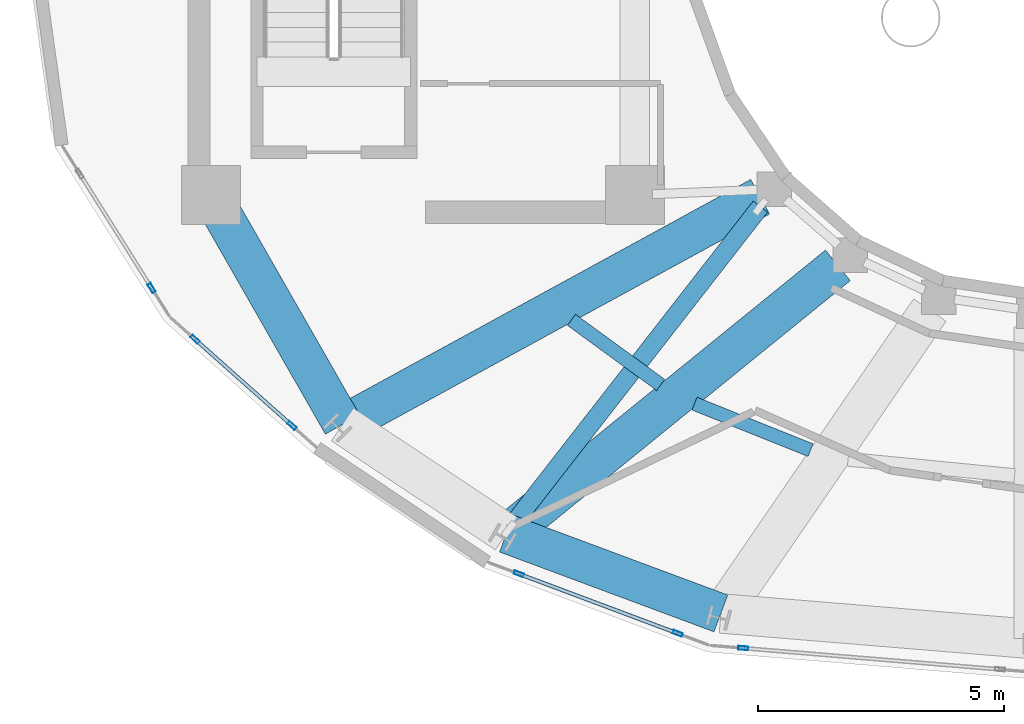
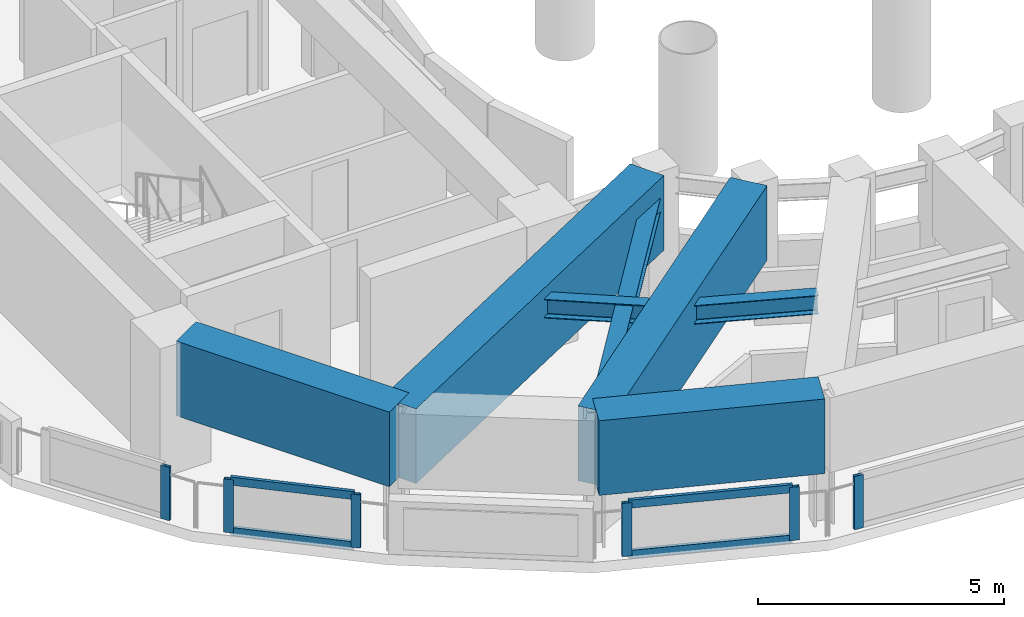
# One storey, part 2 of 17: 11 members, 6 beams, 4 elements without a shape of their own.
"""IFC4 building model written with IfcOpenShell, lengths in metres."""

from ifc_helpers import new_model, si_unit, direction, frame, origin, origin_2d, place, context, subcontext, project, spatial, rectangle, hollow_rectangle, i_section, extrude, material, layer, layer_set, material_profile, profile_set, type_object, element, aggregate, save


model = new_model("IFC4")

# Units and contexts
model_context = context("Model", 3, precision=1e-05, world=origin(), true_north=direction((0.0, 1.0)))
body_context = subcontext(model_context, "Body", "Model", "MODEL_VIEW")
ifc_project = project(units=[si_unit("LENGTHUNIT", "METRE"), si_unit("AREAUNIT", "SQUARE_METRE"), si_unit("VOLUMEUNIT", "CUBIC_METRE"), si_unit("PLANEANGLEUNIT", "RADIAN"), si_unit("MASSUNIT", "GRAM", prefix="KILO")], contexts=[model_context])

# Site, building, storey
site_placement = place(None, origin())
site = spatial("IfcSite", under=ifc_project, at=site_placement, CompositionType="ELEMENT")
building_placement = place(site_placement, origin())
building = spatial("IfcBuilding", under=site, at=building_placement, Name="Solvane Sanctuary Tower", CompositionType="ELEMENT")
storey_placement = place(building_placement, frame((0.0, 0.0, 270.0)))
storey = spatial("IfcBuildingStorey", under=building, at=storey_placement, Name="L82", CompositionType="ELEMENT", Elevation=270.0)

# Beams
ifc_material_1 = material(Name="Steel ASTM A992 Grade 50", Category="steel")
ifc_material_profile_1 = material_profile(ifc_material_1, i_section(OverallWidth=0.280029296875, OverallDepth=0.462890625, WebThickness=0.0107421875, FlangeThickness=0.017333984375, FilletRadius=0.013916015625, at=origin_2d()), Name="W18X76")
ifc_profile_set_1 = profile_set([ifc_material_profile_1], Name="Steel ASTM A992 Grade 50")
beam_type_1 = type_object("IfcBeamType", Name="Beam B-SEC-JOIST W18X76", PredefinedType="JOIST", material=ifc_profile_set_1)
beam_1_placement = place(storey_placement, frame((22.614501953125, 14.36474609375, 2.70654296875), z_axis=(0.807740449032, -0.589538265931, 0.0), x_axis=(0.589538265931, 0.807740449032, 0.0)))
element("IfcBeam", 1, at=beam_1_placement, inside=storey, type_object=beam_type_1, Name="L82 Secondary Circumferential Joist 08-09", PredefinedType="JOIST", context=body_context, shape_type="SweptSolid", body=[
    extrude(i_section(OverallWidth=0.280029296875, OverallDepth=0.462890625, WebThickness=0.0107421875, FlangeThickness=0.017333984375, FilletRadius=0.013916015625, at=origin_2d()), origin(), (0.0, 0.0, 1.0), 2.239990234375),
])
beam_2_placement = place(storey_placement, frame((25.109619140625, 12.664306640625, 2.70654296875), z_axis=(0.928403778537, -0.371572905361, 0.0), x_axis=(0.371572905361, 0.928403778537, 0.0)))
element("IfcBeam", 2, at=beam_2_placement, inside=storey, type_object=beam_type_1, Name="L82 Secondary Circumferential Joist 09-10", PredefinedType="JOIST", context=body_context, shape_type="SweptSolid", body=[
    extrude(i_section(OverallWidth=0.280029296875, OverallDepth=0.462890625, WebThickness=0.0107421875, FlangeThickness=0.017333984375, FilletRadius=0.013916015625, at=origin_2d()), origin(), (0.0, 0.0, 1.0), 2.540771484375),
])
ifc_material_2 = material(Name="Concrete C70/85", Category="concrete")
ifc_material_profile_2 = material_profile(ifc_material_2, rectangle(XDim=0.800048828125, YDim=1.85009765625, at=origin_2d()), Name="RC800X1850")
ifc_profile_set_2 = profile_set([ifc_material_profile_2], Name="Concrete C70/85")
beam_type_2 = type_object("IfcBeamType", Name="Beam B-XFER-BLK RC800X1850", PredefinedType="BEAM", material=ifc_profile_set_2)
beam_3_placement = place(storey_placement, frame((26.444091796875, 16.864501953125, 2.27490234375), z_axis=(-0.877537561856, -0.479507901428, 0.0), x_axis=(0.479507901428, -0.877537561856, 0.0)))
element("IfcBeam", 3, at=beam_3_placement, inside=storey, type_object=beam_type_2, Name="L82 Block-Shift Radial Transfer Girder 08A", PredefinedType="BEAM", context=body_context, shape_type="SweptSolid", body=[
    extrude(rectangle(XDim=0.800048828125, YDim=1.85009765625, at=origin_2d()), origin(), (0.0, 0.0, 1.0), 9.67529296875),
])
beam_4_placement = place(storey_placement, frame((28.021484375, 15.4716796875, 2.27490234375), z_axis=(-0.776498254758, -0.630119401667, 0.0), x_axis=(0.630119401667, -0.776498254758, 0.0)))
element("IfcBeam", 4, at=beam_4_placement, inside=storey, type_object=beam_type_2, Name="L82 Block-Shift Radial Transfer Girder 09A", PredefinedType="BEAM", context=body_context, shape_type="SweptSolid", body=[
    extrude(rectangle(XDim=0.800048828125, YDim=1.85009765625, at=origin_2d()), origin(), (0.0, 0.0, 1.0), 8.66455078125),
])
beam_5_placement = place(storey_placement, frame((15.478759765625, 16.58740234375, 2.27490234375), z_axis=(0.496658745957, -0.867945902729, 0.0), x_axis=(0.867945902729, 0.496658745957, 0.0)))
element("IfcBeam", 5, at=beam_5_placement, inside=storey, type_object=beam_type_2, Name="L82 Perimeter Step Transfer Ring CW1-NTC08", PredefinedType="BEAM", context=body_context, shape_type="SweptSolid", body=[
    extrude(rectangle(XDim=0.800048828125, YDim=1.85009765625, at=origin_2d()), origin(), (0.0, 0.0, 1.0), 5.006591796875),
])
beam_6_placement = place(storey_placement, frame((21.2919921875, 10.027099609375, 2.27490234375), z_axis=(0.937181506682, -0.348842118348, 0.0), x_axis=(0.348842118348, 0.937181506682, 0.0)))
element("IfcBeam", 6, at=beam_6_placement, inside=storey, type_object=beam_type_2, Name="L82 Perimeter Step Transfer Ring NTC09-NTC10", PredefinedType="BEAM", context=body_context, shape_type="SweptSolid", body=[
    extrude(rectangle(XDim=0.800048828125, YDim=1.85009765625, at=origin_2d()), origin(), (0.0, 0.0, 1.0), 4.646484375),
])

# Member
ifc_material_profile_3 = material_profile(ifc_material_1, i_section(OverallWidth=0.368896484375, OverallDepth=0.35595703125, WebThickness=0.01123046875, FlangeThickness=0.01806640625, FilletRadius=0.02490234375, at=origin_2d()), Name="W14X90")
ifc_profile_set_3 = profile_set([ifc_material_profile_3], Name="Steel ASTM A992 Grade 50")
member_type_1 = type_object("IfcMemberType", Name="Member M-CROWN-TIE W14X90", PredefinedType="CHORD", material=ifc_profile_set_3)
member_1_placement = place(storey_placement, frame((26.4462890625, 16.66015625, 2.54052734375), z_axis=(-0.614546206498, -0.788532701367, 0.02343371403), x_axis=(0.788749297589, -0.614715011654, 0.0)))
element("IfcMember", 7, at=member_1_placement, inside=storey, type_object=member_type_1, Name="L82 Crown Bracing Tie 08", PredefinedType="CHORD", context=body_context, shape_type="SweptSolid", body=[
    extrude(i_section(OverallWidth=0.368896484375, OverallDepth=0.35595703125, WebThickness=0.01123046875, FlangeThickness=0.01806640625, FilletRadius=0.02490234375, at=origin_2d()), origin(), (0.0, 0.0, 1.0), 8.29296875),
])

# Curtain wall, member
ifc_material_3 = material(Name="Anodised Aluminium 6063-T6", Category="aluminium")
ifc_layer = layer(ifc_material_3, 0.219970703125, Name="Anodised Aluminium 6063-T6")
ifc_layer_set = layer_set([ifc_layer], Name="Anodised Aluminium 6063-T6")
curtain_wall_type = type_object("IfcCurtainWallType", Name="Curtain Wall CW-CROWN", PredefinedType="NOTDEFINED", material=ifc_layer_set)
curtain_wall_1_placement = place(storey_placement, origin())
curtain_wall_1 = element("IfcCurtainWall", 8, at=curtain_wall_1_placement, inside=storey, type_object=curtain_wall_type, Name="L82 Crown Fritted Lantern Curtain Wall 13", PredefinedType="NOTDEFINED")
ifc_material_profile_4 = material_profile(ifc_material_3, hollow_rectangle(XDim=0.074951171875, YDim=0.199951171875, WallThickness=0.00390625, at=origin_2d()), Name="ALU200X75X4")
ifc_profile_set_4 = profile_set([ifc_material_profile_4], Name="Anodised Aluminium 6063-T6")
member_type_2 = type_object("IfcMemberType", Name="Member M-CW-MUL-1 ALU200X75X4", PredefinedType="MULLION", material=ifc_profile_set_4)
member_2_placement = place(storey_placement, frame((14.091796875, 15.009765625, 0.0), z_axis=(0.0, 0.0, 1.0), x_axis=(0.84660365243, 0.532223877416, 0.0)))
member_2 = element("IfcMember", 9, at=member_2_placement, type_object=member_type_2, Name="CW-CROWN mullion 2", PredefinedType="MULLION", context=body_context, shape_type="SweptSolid", body=[
    extrude(hollow_rectangle(XDim=0.074951171875, YDim=0.199951171875, WallThickness=0.00390625, at=origin_2d()), origin(), (0.0, 0.0, 1.0), 1.320068359375),
])
aggregate(curtain_wall_1, [member_2])

# Curtain wall, members
curtain_wall_2_placement = place(storey_placement, origin())
curtain_wall_2 = element("IfcCurtainWall", 10, at=curtain_wall_2_placement, inside=storey, type_object=curtain_wall_type, Name="L82 Crown Fritted Lantern Curtain Wall 14", PredefinedType="NOTDEFINED")
member_3_placement = place(storey_placement, frame((14.971435546875, 13.970703125, 0.0), z_axis=(0.0, 0.0, 1.0), x_axis=(0.664478434467, 0.747307440166, 0.0)))
member_3 = element("IfcMember", 11, at=member_3_placement, type_object=member_type_2, Name="CW-CROWN mullion 1", PredefinedType="MULLION", context=body_context, shape_type="SweptSolid", body=[
    extrude(hollow_rectangle(XDim=0.074951171875, YDim=0.199951171875, WallThickness=0.00390625, at=origin_2d()), origin(), (0.0, 0.0, 1.0), 1.320068359375),
])
member_4_placement = place(storey_placement, frame((16.939208984375, 12.22119140625, 0.0), z_axis=(0.0, 0.0, 1.0), x_axis=(0.664478434467, 0.747307440166, 0.0)))
member_4 = element("IfcMember", 12, at=member_4_placement, type_object=member_type_2, Name="CW-CROWN mullion 2", PredefinedType="MULLION", context=body_context, shape_type="SweptSolid", body=[
    extrude(hollow_rectangle(XDim=0.074951171875, YDim=0.199951171875, WallThickness=0.00390625, at=origin_2d()), origin(), (0.0, 0.0, 1.0), 1.320068359375),
])

curtain_wall_3_placement = place(storey_placement, origin())
curtain_wall_3 = element("IfcCurtainWall", 13, at=curtain_wall_3_placement, inside=storey, type_object=curtain_wall_type, Name="L82 Crown Fritted Lantern Curtain Wall 16", PredefinedType="NOTDEFINED")
member_5_placement = place(storey_placement, frame((21.544677734375, 9.209716796875, 0.0), z_axis=(0.0, 0.0, 1.0), x_axis=(0.351170134187, 0.936311666517, 0.0)))
member_5 = element("IfcMember", 14, at=member_5_placement, type_object=member_type_2, Name="CW-CROWN mullion 1", PredefinedType="MULLION", context=body_context, shape_type="SweptSolid", body=[
    extrude(hollow_rectangle(XDim=0.074951171875, YDim=0.199951171875, WallThickness=0.00390625, at=origin_2d()), origin(), (0.0, 0.0, 1.0), 1.320068359375),
])
member_6_placement = place(storey_placement, frame((24.770751953125, 7.999755859375, 0.0), z_axis=(0.0, 0.0, 1.0), x_axis=(0.351170134187, 0.936311666517, 0.0)))
member_6 = element("IfcMember", 15, at=member_6_placement, type_object=member_type_2, Name="CW-CROWN mullion 2", PredefinedType="MULLION", context=body_context, shape_type="SweptSolid", body=[
    extrude(hollow_rectangle(XDim=0.074951171875, YDim=0.199951171875, WallThickness=0.00390625, at=origin_2d()), origin(), (0.0, 0.0, 1.0), 1.320068359375),
])

# Curtain wall, member
curtain_wall_4_placement = place(storey_placement, origin())
curtain_wall_4 = element("IfcCurtainWall", 16, at=curtain_wall_4_placement, inside=storey, type_object=curtain_wall_type, Name="L82 Crown Fritted Lantern Curtain Wall 17", PredefinedType="NOTDEFINED")
member_7_placement = place(storey_placement, frame((26.099609375, 7.70166015625, 0.0), z_axis=(0.0, 0.0, 1.0), x_axis=(0.08253563446, 0.996588114039, 0.0)))
member_7 = element("IfcMember", 17, at=member_7_placement, type_object=member_type_2, Name="CW-CROWN mullion 1", PredefinedType="MULLION", context=body_context, shape_type="SweptSolid", body=[
    extrude(hollow_rectangle(XDim=0.074951171875, YDim=0.199951171875, WallThickness=0.00390625, at=origin_2d()), origin(), (0.0, 0.0, 1.0), 1.320068359375),
])
aggregate(curtain_wall_4, [member_7])

# Member
ifc_material_profile_5 = material_profile(ifc_material_3, hollow_rectangle(XDim=0.074951171875, YDim=0.199951171875, WallThickness=0.00390625, at=origin_2d()), Name="ALU200X75X4")
ifc_profile_set_5 = profile_set([ifc_material_profile_5], Name="Anodised Aluminium 6063-T6")
member_type_3 = type_object("IfcMemberType", Name="Member M-CW-TRN-2 ALU200X75X4", PredefinedType="USERDEFINED", material=ifc_profile_set_5)
member_8_placement = place(storey_placement, frame((14.99951171875, 13.94580078125, 0.03759765625), z_axis=(0.747314526833, -0.664470464343, 0.0), x_axis=(0.664470464343, 0.747314526833, 0.0)))
member_8 = element("IfcMember", 18, at=member_8_placement, type_object=member_type_3, Name="CW-CROWN transom 1.1", ObjectType="TRANSOM", PredefinedType="USERDEFINED", context=body_context, shape_type="SweptSolid", body=[
    extrude(hollow_rectangle(XDim=0.074951171875, YDim=0.199951171875, WallThickness=0.00390625, at=origin_2d()), origin(), (0.0, 0.0, 1.0), 2.55810546875),
])

member_9_placement = place(storey_placement, frame((14.99951171875, 13.94580078125, 1.282470703125), z_axis=(0.747314526833, -0.664470464343, 0.0), x_axis=(0.664470464343, 0.747314526833, 0.0)))
member_9 = element("IfcMember", 19, at=member_9_placement, type_object=member_type_3, Name="CW-CROWN transom 1.2", ObjectType="TRANSOM", PredefinedType="USERDEFINED", context=body_context, shape_type="SweptSolid", body=[
    extrude(hollow_rectangle(XDim=0.074951171875, YDim=0.199951171875, WallThickness=0.00390625, at=origin_2d()), origin(), (0.0, 0.0, 1.0), 2.55810546875),
])

aggregate(curtain_wall_2, [member_3, member_4, member_8, member_9])

member_10_placement = place(storey_placement, frame((21.579833984375, 9.19677734375, 0.03759765625), z_axis=(0.936287496368, -0.351234571398, 0.0), x_axis=(0.351234571398, 0.936287496368, 0.0)))
member_10 = element("IfcMember", 20, at=member_10_placement, type_object=member_type_3, Name="CW-CROWN transom 1.1", ObjectType="TRANSOM", PredefinedType="USERDEFINED", context=body_context, shape_type="SweptSolid", body=[
    extrude(hollow_rectangle(XDim=0.074951171875, YDim=0.199951171875, WallThickness=0.00390625, at=origin_2d()), origin(), (0.0, 0.0, 1.0), 3.37060546875),
])

member_11_placement = place(storey_placement, frame((21.579833984375, 9.19677734375, 1.282470703125), z_axis=(0.936287496368, -0.351234571398, 0.0), x_axis=(0.351234571398, 0.936287496368, 0.0)))
member_11 = element("IfcMember", 21, at=member_11_placement, type_object=member_type_3, Name="CW-CROWN transom 1.2", ObjectType="TRANSOM", PredefinedType="USERDEFINED", context=body_context, shape_type="SweptSolid", body=[
    extrude(hollow_rectangle(XDim=0.074951171875, YDim=0.199951171875, WallThickness=0.00390625, at=origin_2d()), origin(), (0.0, 0.0, 1.0), 3.37060546875),
])

aggregate(curtain_wall_3, [member_5, member_6, member_10, member_11])

save(model, "model.ifc")
